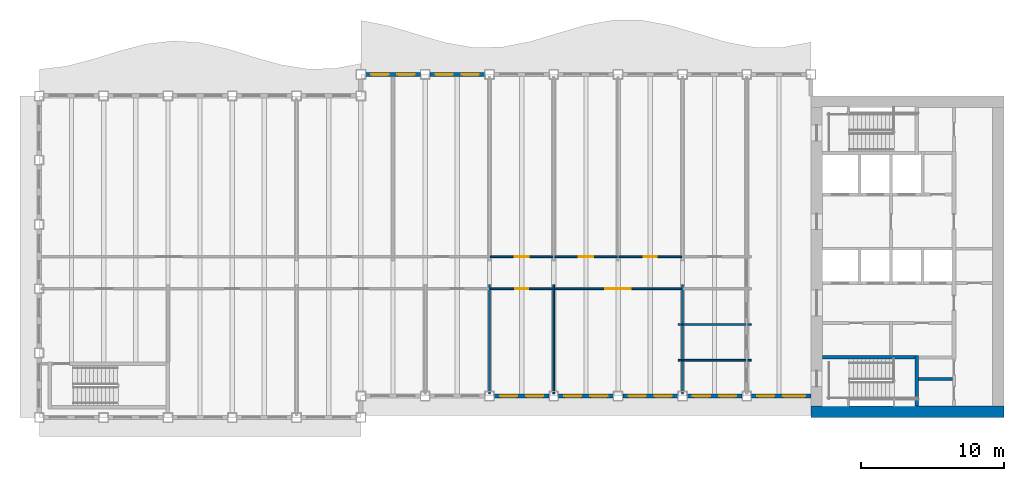
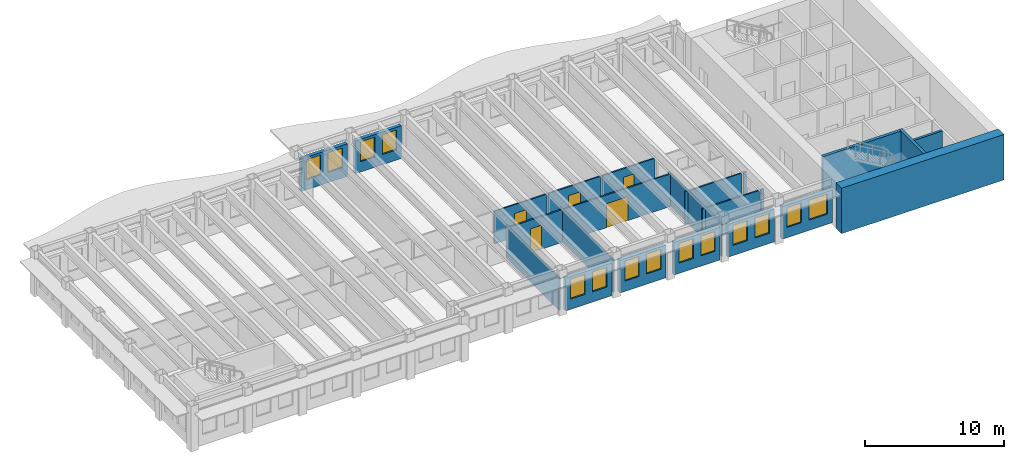
# One storey, part 4 of 12: 25 walls, 14 windows, 5 doors, 19 openings.
"""IFC4 building model written with IfcOpenShell, lengths in metres."""

from ifc_helpers import new_model, si_unit, direction, frame, frame_2d, origin, place, context, subcontext, project, spatial, rectangle, extrude, material, layer, layer_set, type_object, element, fill, save


model = new_model("IFC4")

# Units and contexts
model_context = context("Model", 3, precision=1e-05, world=origin(), true_north=direction((0.0, 1.0)))
body_context = subcontext(model_context, "Body", "Model", "MODEL_VIEW")
ifc_project = project(units=[si_unit("LENGTHUNIT", "METRE"), si_unit("AREAUNIT", "SQUARE_METRE"), si_unit("VOLUMEUNIT", "CUBIC_METRE"), si_unit("PLANEANGLEUNIT", "RADIAN"), si_unit("MASSUNIT", "GRAM", prefix="KILO")], contexts=[model_context])

# Site, building, storey
site_placement = place(None, origin())
site = spatial("IfcSite", under=ifc_project, at=site_placement, CompositionType="ELEMENT")
building_placement = place(site_placement, origin())
building = spatial("IfcBuilding", under=site, at=building_placement, Name="Sennacour Bend Tower", CompositionType="ELEMENT")
storey_placement = place(building_placement, frame((0.0, 0.0, 253.0)))
storey = spatial("IfcBuildingStorey", under=building, at=storey_placement, Name="L58", CompositionType="ELEMENT", Elevation=253.0)

# Walls
ifc_material_1 = material(Name="Concrete C50/60", Category="concrete")
ifc_layer_1 = layer(ifc_material_1, 0.800048828125, Name="Concrete C50/60", Category="concrete")
ifc_layer_set_1 = layer_set([ifc_layer_1], Name="Concrete C50/60")
wall_type_1 = type_object("IfcWallType", Name="Core wall 800 C50/60", PredefinedType="SHEAR", material=ifc_layer_set_1)
wall_1_placement = place(storey_placement, frame((67.5, 0.39990234375, -0.14990234375), z_axis=(0.0, 0.0, 1.0), x_axis=(-1.0, 0.0, 0.0)))
element("IfcWall", 1, at=wall_1_placement, inside=storey, type_object=wall_type_1, Name="Core A wall L58 S", PredefinedType="SHEAR", context=body_context, shape_type="SweptSolid", body=[
    extrude(rectangle(XDim=13.5, YDim=0.800048828125, at=frame_2d((6.75, 0.0))), origin(), (0.0, 0.0, 1.0), 4.0),
])
ifc_material_2 = material(Name="Plasterboard partition on steel studs", Category="steel")
ifc_layer_2 = layer(ifc_material_2, 0.1201171875, Name="Plasterboard partition on steel studs", Category="steel")
ifc_layer_set_2 = layer_set([ifc_layer_2], Name="Plasterboard partition on steel studs")
wall_type_2 = type_object("IfcWallType", Name="Partition 120", PredefinedType="PARTITIONING", material=ifc_layer_set_2)
for number, where, z_axis, x_axis, name in (
    (2, (31.5, 1.64990234375, 0.0), (0.0, 0.0, 1.0), (0.0, 1.0, 0.0), "P-L58-W010a"),
    (3, (36.0, 1.64990234375, 0.0), (0.0, 0.0, 1.0), (0.0, 1.0, 0.0), "P-L58-W012a"),
    (4, (45.0, 1.64990234375, 0.0), (0.0, 0.0, 1.0), (0.0, 1.0, 0.0), "P-L58-W015a"),
):
    element("IfcWall", number, at=place(storey_placement, frame(where, z_axis=z_axis, x_axis=x_axis)), inside=storey, type_object=wall_type_2, Name=name, PredefinedType="PARTITIONING", context=body_context, shape_type="SweptSolid", body=[
        extrude(rectangle(XDim=7.650146484375, YDim=0.1201171875, at=frame_2d((3.8251953125, 0.0))), origin(), (0.0, 0.0, 1.0), 2.8701171875),
    ])
wall_2_placement = place(storey_placement, frame((44.699951171875, 4.0, 0.0), z_axis=(0.0, 0.0, 1.0), x_axis=(1.0, 0.0, 0.0)))
element("IfcWall", 5, at=wall_2_placement, inside=storey, type_object=wall_type_2, Name="P-L58-W038aa", PredefinedType="PARTITIONING", context=body_context, shape_type="SweptSolid", body=[
    extrude(rectangle(XDim=0.239990234375, YDim=0.1201171875, at=frame_2d((0.1201171875, 0.0))), origin(), (0.0, 0.0, 1.0), 2.8701171875),
])
wall_3_placement = place(storey_placement, frame((45.06005859375, 4.0, 0.0), z_axis=(0.0, 0.0, 1.0), x_axis=(1.0, 0.0, 0.0)))
element("IfcWall", 6, at=wall_3_placement, inside=storey, type_object=wall_type_2, Name="P-L58-W038ab", PredefinedType="PARTITIONING", context=body_context, shape_type="SweptSolid", body=[
    extrude(rectangle(XDim=4.3798828125, YDim=0.1201171875, at=frame_2d((2.18994140625, 0.0))), origin(), (0.0, 0.0, 1.0), 2.8701171875),
])
for number, where, z_axis, x_axis, name in (
    (7, (49.56005859375, 4.0, 0.0), (0.0, 0.0, 1.0), (1.0, 0.0, 0.0), "P-L58-W038ac"),
    (8, (44.699951171875, 6.5, 0.0), (0.0, 0.0, 1.0), (1.0, 0.0, 0.0), "P-L58-W041aa"),
):
    element("IfcWall", number, at=place(storey_placement, frame(where, z_axis=z_axis, x_axis=x_axis)), inside=storey, type_object=wall_type_2, Name=name, PredefinedType="PARTITIONING", context=body_context, shape_type="SweptSolid", body=[
        extrude(rectangle(XDim=0.239990234375, YDim=0.1201171875, at=frame_2d((0.1201171875, 0.0))), origin(), (0.0, 0.0, 1.0), 2.8701171875),
    ])
wall_4_placement = place(storey_placement, frame((45.06005859375, 6.5, 0.0), z_axis=(0.0, 0.0, 1.0), x_axis=(1.0, 0.0, 0.0)))
element("IfcWall", 9, at=wall_4_placement, inside=storey, type_object=wall_type_2, Name="P-L58-W041ab", PredefinedType="PARTITIONING", context=body_context, shape_type="SweptSolid", body=[
    extrude(rectangle(XDim=4.3798828125, YDim=0.1201171875, at=frame_2d((2.18994140625, 0.0))), origin(), (0.0, 0.0, 1.0), 2.8701171875),
])
wall_5_placement = place(storey_placement, frame((49.56005859375, 6.5, 0.0), z_axis=(0.0, 0.0, 1.0), x_axis=(1.0, 0.0, 0.0)))
element("IfcWall", 10, at=wall_5_placement, inside=storey, type_object=wall_type_2, Name="P-L58-W041ac", PredefinedType="PARTITIONING", context=body_context, shape_type="SweptSolid", body=[
    extrude(rectangle(XDim=0.239990234375, YDim=0.1201171875, at=frame_2d((0.1201171875, 0.0))), origin(), (0.0, 0.0, 1.0), 2.8701171875),
])

# Wall, opening, door
wall_6_placement = place(storey_placement, frame((36.06005859375, 9.0, 0.0), z_axis=(0.0, 0.0, 1.0), x_axis=(1.0, 0.0, 0.0)))
wall_6 = element("IfcWall", 11, at=wall_6_placement, inside=storey, type_object=wall_type_2, Name="P-L58-W043af", PredefinedType="PARTITIONING", context=body_context, shape_type="SweptSolid", body=[
    extrude(rectangle(XDim=8.8798828125, YDim=0.1201171875, at=frame_2d((4.43994140625, 0.0))), origin(), (0.0, 0.0, 1.0), 2.8701171875),
])
opening_1_placement = place(wall_6_placement, frame((3.539794921875, 0.0, 0.0)))
opening_1 = element("IfcOpeningElement", 12, at=opening_1_placement, cuts=wall_6, Name="Opening OD3", PredefinedType="OPENING", context=body_context, shape_type="SweptSolid", body=[
    extrude(rectangle(XDim=1.800048828125, YDim=2.10009765625, at=frame_2d((0.89990234375, 1.050048828125))), frame((0.0, 0.070068359375, 0.0), z_axis=(0.0, -1.0, 0.0), x_axis=(1.0, 0.0, 0.0)), (0.0, 0.0, 1.0), 0.14013671875),
])
ifc_material_3 = material(Name="Timber", Category="wood")
door_type_1 = type_object("IfcDoorType", Name="DR-OFFICE-1800", OperationType="NOTDEFINED", PredefinedType="DOOR", material=ifc_material_3)
door_1_placement = place(opening_1_placement, origin())
door_1 = element("IfcDoor", 13, at=door_1_placement, inside=storey, type_object=door_type_1, Name="Door", OperationType="DOUBLE_DOOR_SINGLE_SWING", OverallHeight=2.10009765625, OverallWidth=1.800048828125, PredefinedType="DOOR", context=body_context, shape_type="SweptSolid", body=[
    extrude(rectangle(XDim=1.800048828125, YDim=2.10009765625, at=frame_2d((0.89990234375, 1.050048828125))), frame((0.0, 0.02490234375, 0.0), z_axis=(0.0, -1.0, 0.0), x_axis=(1.0, 0.0, 0.0)), (0.0, 0.0, 1.0), 0.050048828125),
])
fill(opening_1, door_1)

wall_7_placement = place(storey_placement, frame((31.56005859375, 11.25, 0.0), z_axis=(0.0, 0.0, 1.0), x_axis=(1.0, 0.0, 0.0)))
wall_7 = element("IfcWall", 14, at=wall_7_placement, inside=storey, type_object=wall_type_2, Name="P-L58-W046ad", PredefinedType="PARTITIONING", context=body_context, shape_type="SweptSolid", body=[
    extrude(rectangle(XDim=4.3798828125, YDim=0.1201171875, at=frame_2d((2.18994140625, 0.0))), origin(), (0.0, 0.0, 1.0), 2.8701171875),
])
opening_2_placement = place(wall_7_placement, frame((1.68994140625, 0.0, 0.0)))
opening_2 = element("IfcOpeningElement", 15, at=opening_2_placement, cuts=wall_7, Name="Opening OD2", PredefinedType="OPENING", context=body_context, shape_type="SweptSolid", body=[
    extrude(rectangle(XDim=1.0, YDim=2.10009765625, at=frame_2d((0.5, 1.050048828125))), frame((0.0, 0.070068359375, 0.0), z_axis=(0.0, -1.0, 0.0), x_axis=(1.0, 0.0, 0.0)), (0.0, 0.0, 1.0), 0.14013671875),
])
door_type_2 = type_object("IfcDoorType", Name="DR-OFFICE-1000", OperationType="NOTDEFINED", PredefinedType="DOOR", material=ifc_material_3)
door_2_placement = place(opening_2_placement, origin())
door_2 = element("IfcDoor", 16, at=door_2_placement, inside=storey, type_object=door_type_2, Name="Door", OperationType="SINGLE_SWING_LEFT", OverallHeight=2.10009765625, OverallWidth=1.0, PredefinedType="DOOR", context=body_context, shape_type="SweptSolid", body=[
    extrude(rectangle(XDim=1.0, YDim=2.10009765625, at=frame_2d((0.5, 1.050048828125))), frame((0.0, 0.02490234375, 0.0), z_axis=(0.0, -1.0, 0.0), x_axis=(1.0, 0.0, 0.0)), (0.0, 0.0, 1.0), 0.050048828125),
])
fill(opening_2, door_2)

wall_8_placement = place(storey_placement, frame((36.06005859375, 11.25, 0.0), z_axis=(0.0, 0.0, 1.0), x_axis=(1.0, 0.0, 0.0)))
wall_8 = element("IfcWall", 17, at=wall_8_placement, inside=storey, type_object=wall_type_2, Name="P-L58-W046ae", PredefinedType="PARTITIONING", context=body_context, shape_type="SweptSolid", body=[
    extrude(rectangle(XDim=4.3798828125, YDim=0.1201171875, at=frame_2d((2.18994140625, 0.0))), origin(), (0.0, 0.0, 1.0), 2.8701171875),
])
opening_3_placement = place(wall_8_placement, frame((1.68994140625, 0.0, 0.0)))
opening_3 = element("IfcOpeningElement", 18, at=opening_3_placement, cuts=wall_8, Name="Opening OD2", PredefinedType="OPENING", context=body_context, shape_type="SweptSolid", body=[
    extrude(rectangle(XDim=1.0, YDim=2.10009765625, at=frame_2d((0.5, 1.050048828125))), frame((0.0, 0.070068359375, 0.0), z_axis=(0.0, -1.0, 0.0), x_axis=(1.0, 0.0, 0.0)), (0.0, 0.0, 1.0), 0.14013671875),
])
door_3_placement = place(opening_3_placement, origin())
door_3 = element("IfcDoor", 19, at=door_3_placement, inside=storey, type_object=door_type_2, Name="Door", OperationType="SINGLE_SWING_LEFT", OverallHeight=2.10009765625, OverallWidth=1.0, PredefinedType="DOOR", context=body_context, shape_type="SweptSolid", body=[
    extrude(rectangle(XDim=1.0, YDim=2.10009765625, at=frame_2d((0.5, 1.050048828125))), frame((0.0, 0.02490234375, 0.0), z_axis=(0.0, -1.0, 0.0), x_axis=(1.0, 0.0, 0.0)), (0.0, 0.0, 1.0), 0.050048828125),
])
fill(opening_3, door_3)

ifc_layer_3 = layer(ifc_material_2, 0.1201171875, Name="Plasterboard partition on steel studs", Category="steel")
ifc_layer_set_3 = layer_set([ifc_layer_3], Name="Plasterboard partition on steel studs")
wall_type_3 = type_object("IfcWallType", Name="Partition 120 EI 60", PredefinedType="PARTITIONING", material=ifc_layer_set_3)
wall_9_placement = place(storey_placement, frame((31.56005859375, 9.0, 0.0), z_axis=(0.0, 0.0, 1.0), x_axis=(1.0, 0.0, 0.0)))
wall_9 = element("IfcWall", 20, at=wall_9_placement, inside=storey, type_object=wall_type_3, Name="P-L58-W043ae", PredefinedType="PARTITIONING", context=body_context, shape_type="SweptSolid", body=[
    extrude(rectangle(XDim=4.3798828125, YDim=0.1201171875, at=frame_2d((2.18994140625, 0.0))), origin(), (0.0, 0.0, 1.0), 2.8701171875),
])
opening_4_placement = place(wall_9_placement, frame((1.739990234375, 0.0, 0.0)))
opening_4 = element("IfcOpeningElement", 21, at=opening_4_placement, cuts=wall_9, Name="Opening SV", PredefinedType="OPENING", context=body_context, shape_type="SweptSolid", body=[
    extrude(rectangle(XDim=0.89990234375, YDim=2.10009765625, at=frame_2d((0.449951171875, 1.050048828125))), frame((0.0, 0.070068359375, 0.0), z_axis=(0.0, -1.0, 0.0), x_axis=(1.0, 0.0, 0.0)), (0.0, 0.0, 1.0), 0.14013671875),
])
ifc_material_4 = material(Name="Painted steel", Category="steel")
door_type_3 = type_object("IfcDoorType", Name="DR-SERVICE-900", OperationType="NOTDEFINED", PredefinedType="DOOR", material=ifc_material_4)
door_4_placement = place(opening_4_placement, origin())
door_4 = element("IfcDoor", 22, at=door_4_placement, inside=storey, type_object=door_type_3, Name="Door", OperationType="SINGLE_SWING_LEFT", OverallHeight=2.10009765625, OverallWidth=0.89990234375, PredefinedType="DOOR", context=body_context, shape_type="SweptSolid", body=[
    extrude(rectangle(XDim=0.89990234375, YDim=2.10009765625, at=frame_2d((0.449951171875, 1.050048828125))), frame((0.0, 0.02490234375, 0.0), z_axis=(0.0, -1.0, 0.0), x_axis=(1.0, 0.0, 0.0)), (0.0, 0.0, 1.0), 0.050048828125),
])
fill(opening_4, door_4)

wall_10_placement = place(storey_placement, frame((40.56005859375, 11.25, 0.0), z_axis=(0.0, 0.0, 1.0), x_axis=(1.0, 0.0, 0.0)))
wall_10 = element("IfcWall", 23, at=wall_10_placement, inside=storey, type_object=wall_type_3, Name="P-L58-W046af", PredefinedType="PARTITIONING", context=body_context, shape_type="SweptSolid", body=[
    extrude(rectangle(XDim=4.3798828125, YDim=0.1201171875, at=frame_2d((2.18994140625, 0.0))), origin(), (0.0, 0.0, 1.0), 2.8701171875),
])
opening_5_placement = place(wall_10_placement, frame((1.739990234375, 0.0, 0.0)))
opening_5 = element("IfcOpeningElement", 24, at=opening_5_placement, cuts=wall_10, Name="Opening SV", PredefinedType="OPENING", context=body_context, shape_type="SweptSolid", body=[
    extrude(rectangle(XDim=0.89990234375, YDim=2.10009765625, at=frame_2d((0.449951171875, 1.050048828125))), frame((0.0, 0.070068359375, 0.0), z_axis=(0.0, -1.0, 0.0), x_axis=(1.0, 0.0, 0.0)), (0.0, 0.0, 1.0), 0.14013671875),
])
door_5_placement = place(opening_5_placement, origin())
door_5 = element("IfcDoor", 25, at=door_5_placement, inside=storey, type_object=door_type_3, Name="Door", OperationType="SINGLE_SWING_LEFT", OverallHeight=2.10009765625, OverallWidth=0.89990234375, PredefinedType="DOOR", context=body_context, shape_type="SweptSolid", body=[
    extrude(rectangle(XDim=0.89990234375, YDim=2.10009765625, at=frame_2d((0.449951171875, 1.050048828125))), frame((0.0, 0.02490234375, 0.0), z_axis=(0.0, -1.0, 0.0), x_axis=(1.0, 0.0, 0.0)), (0.0, 0.0, 1.0), 0.050048828125),
])
fill(opening_5, door_5)

# Wall
ifc_material_5 = material(Name="Fire-rated plasterboard partition on steel studs", Category="steel")
ifc_layer_4 = layer(ifc_material_5, 0.199951171875, Name="Fire-rated plasterboard partition on steel studs", Category="steel")
ifc_layer_set_4 = layer_set([ifc_layer_4], Name="Fire-rated plasterboard partition on steel studs")
wall_type_4 = type_object("IfcWallType", Name="Rated partition 200", PredefinedType="PARTITIONING", material=ifc_layer_set_4)
wall_11_placement = place(storey_placement, frame((61.52490234375, 2.699951171875, 0.0), z_axis=(0.0, 0.0, 1.0), x_axis=(1.0, 0.0, 0.0)))
element("IfcWall", 26, at=wall_11_placement, inside=storey, type_object=wall_type_4, Name="P-L58-W035", PredefinedType="PARTITIONING", context=body_context, shape_type="SweptSolid", body=[
    extrude(rectangle(XDim=2.375, YDim=0.199951171875, at=frame_2d((1.1875, 0.0))), origin(), (0.0, 0.0, 1.0), 3.85009765625),
])

# Wall, openings, windows
ifc_material_6 = material(Name="Warm limestone cladding", Category="masonry")
ifc_layer_5 = layer(ifc_material_6, 0.050048828125, Name="Warm limestone cladding", Category="masonry")
ifc_material_7 = material(Name="Precast concrete C40/50", Category="concrete")
ifc_layer_6 = layer(ifc_material_7, 0.25, Name="Precast concrete C40/50", Category="concrete")
ifc_layer_set_5 = layer_set([ifc_layer_5, ifc_layer_6], Name="Precast concrete C40/50 with limestone cladding")
wall_type_5 = type_object("IfcWallType", Name="STONE-CLAD PRECAST SPANDREL 300", PredefinedType="STANDARD", material=ifc_layer_set_5)
wall_12_placement = place(storey_placement, frame((31.824951171875, 1.5, 0.0), z_axis=(0.0, 0.0, 1.0), x_axis=(1.0, 0.0, 0.0)))
wall_12 = element("IfcWall", 27, at=wall_12_placement, inside=storey, type_object=wall_type_5, Name="Stone spandrel and pier wall L58 01.02", PredefinedType="STANDARD", context=body_context, shape_type="SweptSolid", body=[
    extrude(rectangle(XDim=3.85009765625, YDim=0.300048828125, at=frame_2d((1.925048828125, 0.0))), origin(), (0.0, 0.0, 1.0), 2.8701171875),
])
opening_6_placement = place(wall_12_placement, frame((0.41259765625, 0.0, 0.89990234375)))
opening_6 = element("IfcOpeningElement", 28, at=opening_6_placement, cuts=wall_12, Name="Opening W16", PredefinedType="OPENING", context=body_context, shape_type="SweptSolid", body=[
    extrude(rectangle(XDim=1.199951171875, YDim=1.75, at=frame_2d((0.60009765625, 0.875))), frame((0.0, 0.16015625, 0.0), z_axis=(0.0, -1.0, 0.0), x_axis=(1.0, 0.0, 0.0)), (0.0, 0.0, 1.0), 0.320068359375),
])
opening_7_placement = place(wall_12_placement, frame((2.237548828125, 0.0, 0.89990234375)))
opening_7 = element("IfcOpeningElement", 29, at=opening_7_placement, cuts=wall_12, Name="Opening W16", PredefinedType="OPENING", context=body_context, shape_type="SweptSolid", body=[
    extrude(rectangle(XDim=1.199951171875, YDim=1.75, at=frame_2d((0.60009765625, 0.875))), frame((0.0, 0.16015625, 0.0), z_axis=(0.0, -1.0, 0.0), x_axis=(1.0, 0.0, 0.0)), (0.0, 0.0, 1.0), 0.320068359375),
])
ifc_material_8 = material(Name="Clear low-emissivity glass", Category="glass")
window_type_1 = type_object("IfcWindowType", Name="WIN-RIBBON-1200x1750", PartitioningType="SINGLE_PANEL", PredefinedType="WINDOW", material=ifc_material_8)
window_1_placement = place(opening_6_placement, origin())
window_1 = element("IfcWindow", 30, at=window_1_placement, inside=storey, type_object=window_type_1, Name="Ribbon window L58 01.02.0", OverallHeight=1.75, OverallWidth=1.199951171875, PartitioningType="SINGLE_PANEL", PredefinedType="WINDOW", context=body_context, shape_type="SweptSolid", body=[
    extrude(rectangle(XDim=1.199951171875, YDim=1.75, at=frame_2d((0.60009765625, 0.875))), frame((0.0, 0.030029296875, 0.0), z_axis=(0.0, -1.0, 0.0), x_axis=(1.0, 0.0, 0.0)), (0.0, 0.0, 1.0), 0.06005859375),
])
fill(opening_6, window_1)
window_2_placement = place(opening_7_placement, origin())
window_2 = element("IfcWindow", 31, at=window_2_placement, inside=storey, type_object=window_type_1, Name="Ribbon window L58 01.02.1", OverallHeight=1.75, OverallWidth=1.199951171875, PartitioningType="SINGLE_PANEL", PredefinedType="WINDOW", context=body_context, shape_type="SweptSolid", body=[
    extrude(rectangle(XDim=1.199951171875, YDim=1.75, at=frame_2d((0.60009765625, 0.875))), frame((0.0, 0.030029296875, 0.0), z_axis=(0.0, -1.0, 0.0), x_axis=(1.0, 0.0, 0.0)), (0.0, 0.0, 1.0), 0.06005859375),
])
fill(opening_7, window_2)

wall_13_placement = place(storey_placement, frame((36.324951171875, 1.5, 0.0), z_axis=(0.0, 0.0, 1.0), x_axis=(1.0, 0.0, 0.0)))
wall_13 = element("IfcWall", 32, at=wall_13_placement, inside=storey, type_object=wall_type_5, Name="Stone spandrel and pier wall L58 01.03", PredefinedType="STANDARD", context=body_context, shape_type="SweptSolid", body=[
    extrude(rectangle(XDim=3.85009765625, YDim=0.300048828125, at=frame_2d((1.925048828125, 0.0))), origin(), (0.0, 0.0, 1.0), 2.8701171875),
])
opening_8_placement = place(wall_13_placement, frame((0.41259765625, 0.0, 0.89990234375)))
opening_8 = element("IfcOpeningElement", 33, at=opening_8_placement, cuts=wall_13, Name="Opening W16", PredefinedType="OPENING", context=body_context, shape_type="SweptSolid", body=[
    extrude(rectangle(XDim=1.199951171875, YDim=1.75, at=frame_2d((0.60009765625, 0.875))), frame((0.0, 0.16015625, 0.0), z_axis=(0.0, -1.0, 0.0), x_axis=(1.0, 0.0, 0.0)), (0.0, 0.0, 1.0), 0.320068359375),
])
opening_9_placement = place(wall_13_placement, frame((2.237548828125, 0.0, 0.89990234375)))
opening_9 = element("IfcOpeningElement", 34, at=opening_9_placement, cuts=wall_13, Name="Opening W16", PredefinedType="OPENING", context=body_context, shape_type="SweptSolid", body=[
    extrude(rectangle(XDim=1.199951171875, YDim=1.75, at=frame_2d((0.60009765625, 0.875))), frame((0.0, 0.16015625, 0.0), z_axis=(0.0, -1.0, 0.0), x_axis=(1.0, 0.0, 0.0)), (0.0, 0.0, 1.0), 0.320068359375),
])
window_3_placement = place(opening_8_placement, origin())
window_3 = element("IfcWindow", 35, at=window_3_placement, inside=storey, type_object=window_type_1, Name="Ribbon window L58 01.03.0", OverallHeight=1.75, OverallWidth=1.199951171875, PartitioningType="SINGLE_PANEL", PredefinedType="WINDOW", context=body_context, shape_type="SweptSolid", body=[
    extrude(rectangle(XDim=1.199951171875, YDim=1.75, at=frame_2d((0.60009765625, 0.875))), frame((0.0, 0.030029296875, 0.0), z_axis=(0.0, -1.0, 0.0), x_axis=(1.0, 0.0, 0.0)), (0.0, 0.0, 1.0), 0.06005859375),
])
fill(opening_8, window_3)
window_4_placement = place(opening_9_placement, origin())
window_4 = element("IfcWindow", 36, at=window_4_placement, inside=storey, type_object=window_type_1, Name="Ribbon window L58 01.03.1", OverallHeight=1.75, OverallWidth=1.199951171875, PartitioningType="SINGLE_PANEL", PredefinedType="WINDOW", context=body_context, shape_type="SweptSolid", body=[
    extrude(rectangle(XDim=1.199951171875, YDim=1.75, at=frame_2d((0.60009765625, 0.875))), frame((0.0, 0.030029296875, 0.0), z_axis=(0.0, -1.0, 0.0), x_axis=(1.0, 0.0, 0.0)), (0.0, 0.0, 1.0), 0.06005859375),
])
fill(opening_9, window_4)

wall_14_placement = place(storey_placement, frame((40.824951171875, 1.5, 0.0), z_axis=(0.0, 0.0, 1.0), x_axis=(1.0, 0.0, 0.0)))
wall_14 = element("IfcWall", 37, at=wall_14_placement, inside=storey, type_object=wall_type_5, Name="Stone spandrel and pier wall L58 01.04", PredefinedType="STANDARD", context=body_context, shape_type="SweptSolid", body=[
    extrude(rectangle(XDim=3.85009765625, YDim=0.300048828125, at=frame_2d((1.925048828125, 0.0))), origin(), (0.0, 0.0, 1.0), 2.8701171875),
])
opening_10_placement = place(wall_14_placement, frame((0.41259765625, 0.0, 0.89990234375)))
opening_10 = element("IfcOpeningElement", 38, at=opening_10_placement, cuts=wall_14, Name="Opening W16", PredefinedType="OPENING", context=body_context, shape_type="SweptSolid", body=[
    extrude(rectangle(XDim=1.199951171875, YDim=1.75, at=frame_2d((0.60009765625, 0.875))), frame((0.0, 0.16015625, 0.0), z_axis=(0.0, -1.0, 0.0), x_axis=(1.0, 0.0, 0.0)), (0.0, 0.0, 1.0), 0.320068359375),
])
opening_11_placement = place(wall_14_placement, frame((2.237548828125, 0.0, 0.89990234375)))
opening_11 = element("IfcOpeningElement", 39, at=opening_11_placement, cuts=wall_14, Name="Opening W16", PredefinedType="OPENING", context=body_context, shape_type="SweptSolid", body=[
    extrude(rectangle(XDim=1.199951171875, YDim=1.75, at=frame_2d((0.60009765625, 0.875))), frame((0.0, 0.16015625, 0.0), z_axis=(0.0, -1.0, 0.0), x_axis=(1.0, 0.0, 0.0)), (0.0, 0.0, 1.0), 0.320068359375),
])
window_5_placement = place(opening_10_placement, origin())
window_5 = element("IfcWindow", 40, at=window_5_placement, inside=storey, type_object=window_type_1, Name="Ribbon window L58 01.04.0", OverallHeight=1.75, OverallWidth=1.199951171875, PartitioningType="SINGLE_PANEL", PredefinedType="WINDOW", context=body_context, shape_type="SweptSolid", body=[
    extrude(rectangle(XDim=1.199951171875, YDim=1.75, at=frame_2d((0.60009765625, 0.875))), frame((0.0, 0.030029296875, 0.0), z_axis=(0.0, -1.0, 0.0), x_axis=(1.0, 0.0, 0.0)), (0.0, 0.0, 1.0), 0.06005859375),
])
fill(opening_10, window_5)
window_6_placement = place(opening_11_placement, origin())
window_6 = element("IfcWindow", 41, at=window_6_placement, inside=storey, type_object=window_type_1, Name="Ribbon window L58 01.04.1", OverallHeight=1.75, OverallWidth=1.199951171875, PartitioningType="SINGLE_PANEL", PredefinedType="WINDOW", context=body_context, shape_type="SweptSolid", body=[
    extrude(rectangle(XDim=1.199951171875, YDim=1.75, at=frame_2d((0.60009765625, 0.875))), frame((0.0, 0.030029296875, 0.0), z_axis=(0.0, -1.0, 0.0), x_axis=(1.0, 0.0, 0.0)), (0.0, 0.0, 1.0), 0.06005859375),
])
fill(opening_11, window_6)

wall_15_placement = place(storey_placement, frame((45.324951171875, 1.5, 0.0), z_axis=(0.0, 0.0, 1.0), x_axis=(1.0, 0.0, 0.0)))
wall_15 = element("IfcWall", 42, at=wall_15_placement, inside=storey, type_object=wall_type_5, Name="Stone spandrel and pier wall L58 01.05", PredefinedType="STANDARD", context=body_context, shape_type="SweptSolid", body=[
    extrude(rectangle(XDim=3.85009765625, YDim=0.300048828125, at=frame_2d((1.925048828125, 0.0))), origin(), (0.0, 0.0, 1.0), 2.8701171875),
])
opening_12_placement = place(wall_15_placement, frame((0.41259765625, 0.0, 0.89990234375)))
opening_12 = element("IfcOpeningElement", 43, at=opening_12_placement, cuts=wall_15, Name="Opening W16", PredefinedType="OPENING", context=body_context, shape_type="SweptSolid", body=[
    extrude(rectangle(XDim=1.199951171875, YDim=1.75, at=frame_2d((0.60009765625, 0.875))), frame((0.0, 0.16015625, 0.0), z_axis=(0.0, -1.0, 0.0), x_axis=(1.0, 0.0, 0.0)), (0.0, 0.0, 1.0), 0.320068359375),
])
opening_13_placement = place(wall_15_placement, frame((2.237548828125, 0.0, 0.89990234375)))
opening_13 = element("IfcOpeningElement", 44, at=opening_13_placement, cuts=wall_15, Name="Opening W16", PredefinedType="OPENING", context=body_context, shape_type="SweptSolid", body=[
    extrude(rectangle(XDim=1.199951171875, YDim=1.75, at=frame_2d((0.60009765625, 0.875))), frame((0.0, 0.16015625, 0.0), z_axis=(0.0, -1.0, 0.0), x_axis=(1.0, 0.0, 0.0)), (0.0, 0.0, 1.0), 0.320068359375),
])
window_7_placement = place(opening_12_placement, origin())
window_7 = element("IfcWindow", 45, at=window_7_placement, inside=storey, type_object=window_type_1, Name="Ribbon window L58 01.05.0", OverallHeight=1.75, OverallWidth=1.199951171875, PartitioningType="SINGLE_PANEL", PredefinedType="WINDOW", context=body_context, shape_type="SweptSolid", body=[
    extrude(rectangle(XDim=1.199951171875, YDim=1.75, at=frame_2d((0.60009765625, 0.875))), frame((0.0, 0.030029296875, 0.0), z_axis=(0.0, -1.0, 0.0), x_axis=(1.0, 0.0, 0.0)), (0.0, 0.0, 1.0), 0.06005859375),
])
fill(opening_12, window_7)
window_8_placement = place(opening_13_placement, origin())
window_8 = element("IfcWindow", 46, at=window_8_placement, inside=storey, type_object=window_type_1, Name="Ribbon window L58 01.05.1", OverallHeight=1.75, OverallWidth=1.199951171875, PartitioningType="SINGLE_PANEL", PredefinedType="WINDOW", context=body_context, shape_type="SweptSolid", body=[
    extrude(rectangle(XDim=1.199951171875, YDim=1.75, at=frame_2d((0.60009765625, 0.875))), frame((0.0, 0.030029296875, 0.0), z_axis=(0.0, -1.0, 0.0), x_axis=(1.0, 0.0, 0.0)), (0.0, 0.0, 1.0), 0.06005859375),
])
fill(opening_13, window_8)

wall_16_placement = place(storey_placement, frame((49.824951171875, 1.5, 0.0), z_axis=(0.0, 0.0, 1.0), x_axis=(1.0, 0.0, 0.0)))
wall_16 = element("IfcWall", 47, at=wall_16_placement, inside=storey, type_object=wall_type_5, Name="Stone spandrel and pier wall L58 01.06", PredefinedType="STANDARD", context=body_context, shape_type="SweptSolid", body=[
    extrude(rectangle(XDim=4.175048828125, YDim=0.300048828125, at=frame_2d((2.08740234375, 0.0))), origin(), (0.0, 0.0, 1.0), 2.8701171875),
])
opening_14_placement = place(wall_16_placement, frame((0.41259765625, 0.0, 0.89990234375)))
opening_14 = element("IfcOpeningElement", 48, at=opening_14_placement, cuts=wall_16, Name="Opening W16", PredefinedType="OPENING", context=body_context, shape_type="SweptSolid", body=[
    extrude(rectangle(XDim=1.199951171875, YDim=1.75, at=frame_2d((0.60009765625, 0.875))), frame((0.0, 0.16015625, 0.0), z_axis=(0.0, -1.0, 0.0), x_axis=(1.0, 0.0, 0.0)), (0.0, 0.0, 1.0), 0.320068359375),
])
opening_15_placement = place(wall_16_placement, frame((2.22509765625, 0.0, 0.89990234375)))
opening_15 = element("IfcOpeningElement", 49, at=opening_15_placement, cuts=wall_16, Name="Opening W12", PredefinedType="OPENING", context=body_context, shape_type="SweptSolid", body=[
    extrude(rectangle(XDim=1.550048828125, YDim=1.75, at=frame_2d((0.77490234375, 0.875))), frame((0.0, 0.16015625, 0.0), z_axis=(0.0, -1.0, 0.0), x_axis=(1.0, 0.0, 0.0)), (0.0, 0.0, 1.0), 0.320068359375),
])
window_9_placement = place(opening_14_placement, origin())
window_9 = element("IfcWindow", 50, at=window_9_placement, inside=storey, type_object=window_type_1, Name="Ribbon window L58 01.06.0", OverallHeight=1.75, OverallWidth=1.199951171875, PartitioningType="SINGLE_PANEL", PredefinedType="WINDOW", context=body_context, shape_type="SweptSolid", body=[
    extrude(rectangle(XDim=1.199951171875, YDim=1.75, at=frame_2d((0.60009765625, 0.875))), frame((0.0, 0.030029296875, 0.0), z_axis=(0.0, -1.0, 0.0), x_axis=(1.0, 0.0, 0.0)), (0.0, 0.0, 1.0), 0.06005859375),
])
fill(opening_14, window_9)
window_type_2 = type_object("IfcWindowType", Name="WIN-RIBBON-1550x1750", PartitioningType="SINGLE_PANEL", PredefinedType="WINDOW", material=ifc_material_8)
window_10_placement = place(opening_15_placement, origin())
window_10 = element("IfcWindow", 51, at=window_10_placement, inside=storey, type_object=window_type_2, Name="Ribbon window L58 01.06.1", OverallHeight=1.75, OverallWidth=1.550048828125, PartitioningType="SINGLE_PANEL", PredefinedType="WINDOW", context=body_context, shape_type="SweptSolid", body=[
    extrude(rectangle(XDim=1.550048828125, YDim=1.75, at=frame_2d((0.77490234375, 0.875))), frame((0.0, 0.030029296875, 0.0), z_axis=(0.0, -1.0, 0.0), x_axis=(1.0, 0.0, 0.0)), (0.0, 0.0, 1.0), 0.06005859375),
])
fill(opening_15, window_10)

wall_17_placement = place(storey_placement, frame((31.175048828125, 24.0, 0.0), z_axis=(0.0, 0.0, 1.0), x_axis=(-1.0, 0.0, 0.0)))
wall_17 = element("IfcWall", 52, at=wall_17_placement, inside=storey, type_object=wall_type_5, Name="Stone spandrel and pier wall L58 07.05", PredefinedType="STANDARD", context=body_context, shape_type="SweptSolid", body=[
    extrude(rectangle(XDim=3.85009765625, YDim=0.300048828125, at=frame_2d((1.925048828125, 0.0))), origin(), (0.0, 0.0, 1.0), 2.8701171875),
])
opening_16_placement = place(wall_17_placement, frame((0.41259765625, 0.0, 0.89990234375)))
opening_16 = element("IfcOpeningElement", 53, at=opening_16_placement, cuts=wall_17, Name="Opening W16", PredefinedType="OPENING", context=body_context, shape_type="SweptSolid", body=[
    extrude(rectangle(XDim=1.199951171875, YDim=1.75, at=frame_2d((0.60009765625, 0.875))), frame((0.0, 0.16015625, 0.0), z_axis=(0.0, -1.0, 0.0), x_axis=(1.0, 0.0, 0.0)), (0.0, 0.0, 1.0), 0.320068359375),
])
opening_17_placement = place(wall_17_placement, frame((2.237548828125, 0.0, 0.89990234375)))
opening_17 = element("IfcOpeningElement", 54, at=opening_17_placement, cuts=wall_17, Name="Opening W16", PredefinedType="OPENING", context=body_context, shape_type="SweptSolid", body=[
    extrude(rectangle(XDim=1.199951171875, YDim=1.75, at=frame_2d((0.60009765625, 0.875))), frame((0.0, 0.16015625, 0.0), z_axis=(0.0, -1.0, 0.0), x_axis=(1.0, 0.0, 0.0)), (0.0, 0.0, 1.0), 0.320068359375),
])
window_11_placement = place(opening_16_placement, origin())
window_11 = element("IfcWindow", 55, at=window_11_placement, inside=storey, type_object=window_type_1, Name="Ribbon window L58 07.05.0", OverallHeight=1.75, OverallWidth=1.199951171875, PartitioningType="SINGLE_PANEL", PredefinedType="WINDOW", context=body_context, shape_type="SweptSolid", body=[
    extrude(rectangle(XDim=1.199951171875, YDim=1.75, at=frame_2d((0.60009765625, 0.875))), frame((0.0, 0.030029296875, 0.0), z_axis=(0.0, -1.0, 0.0), x_axis=(1.0, 0.0, 0.0)), (0.0, 0.0, 1.0), 0.06005859375),
])
fill(opening_16, window_11)
window_12_placement = place(opening_17_placement, origin())
window_12 = element("IfcWindow", 56, at=window_12_placement, inside=storey, type_object=window_type_1, Name="Ribbon window L58 07.05.1", OverallHeight=1.75, OverallWidth=1.199951171875, PartitioningType="SINGLE_PANEL", PredefinedType="WINDOW", context=body_context, shape_type="SweptSolid", body=[
    extrude(rectangle(XDim=1.199951171875, YDim=1.75, at=frame_2d((0.60009765625, 0.875))), frame((0.0, 0.030029296875, 0.0), z_axis=(0.0, -1.0, 0.0), x_axis=(1.0, 0.0, 0.0)), (0.0, 0.0, 1.0), 0.06005859375),
])
fill(opening_17, window_12)

wall_18_placement = place(storey_placement, frame((26.675048828125, 24.0, 0.0), z_axis=(0.0, 0.0, 1.0), x_axis=(-1.0, 0.0, 0.0)))
wall_18 = element("IfcWall", 57, at=wall_18_placement, inside=storey, type_object=wall_type_5, Name="Stone spandrel and pier wall L58 07.06", PredefinedType="STANDARD", context=body_context, shape_type="SweptSolid", body=[
    extrude(rectangle(XDim=3.85009765625, YDim=0.300048828125, at=frame_2d((1.925048828125, 0.0))), origin(), (0.0, 0.0, 1.0), 2.8701171875),
])
opening_18_placement = place(wall_18_placement, frame((0.41259765625, 0.0, 0.89990234375)))
opening_18 = element("IfcOpeningElement", 58, at=opening_18_placement, cuts=wall_18, Name="Opening W16", PredefinedType="OPENING", context=body_context, shape_type="SweptSolid", body=[
    extrude(rectangle(XDim=1.199951171875, YDim=1.75, at=frame_2d((0.60009765625, 0.875))), frame((0.0, 0.16015625, 0.0), z_axis=(0.0, -1.0, 0.0), x_axis=(1.0, 0.0, 0.0)), (0.0, 0.0, 1.0), 0.320068359375),
])
opening_19_placement = place(wall_18_placement, frame((2.237548828125, 0.0, 0.89990234375)))
opening_19 = element("IfcOpeningElement", 59, at=opening_19_placement, cuts=wall_18, Name="Opening W16", PredefinedType="OPENING", context=body_context, shape_type="SweptSolid", body=[
    extrude(rectangle(XDim=1.199951171875, YDim=1.75, at=frame_2d((0.60009765625, 0.875))), frame((0.0, 0.16015625, 0.0), z_axis=(0.0, -1.0, 0.0), x_axis=(1.0, 0.0, 0.0)), (0.0, 0.0, 1.0), 0.320068359375),
])
window_13_placement = place(opening_18_placement, origin())
window_13 = element("IfcWindow", 60, at=window_13_placement, inside=storey, type_object=window_type_1, Name="Ribbon window L58 07.06.0", OverallHeight=1.75, OverallWidth=1.199951171875, PartitioningType="SINGLE_PANEL", PredefinedType="WINDOW", context=body_context, shape_type="SweptSolid", body=[
    extrude(rectangle(XDim=1.199951171875, YDim=1.75, at=frame_2d((0.60009765625, 0.875))), frame((0.0, 0.030029296875, 0.0), z_axis=(0.0, -1.0, 0.0), x_axis=(1.0, 0.0, 0.0)), (0.0, 0.0, 1.0), 0.06005859375),
])
fill(opening_18, window_13)
window_14_placement = place(opening_19_placement, origin())
window_14 = element("IfcWindow", 61, at=window_14_placement, inside=storey, type_object=window_type_1, Name="Ribbon window L58 07.06.1", OverallHeight=1.75, OverallWidth=1.199951171875, PartitioningType="SINGLE_PANEL", PredefinedType="WINDOW", context=body_context, shape_type="SweptSolid", body=[
    extrude(rectangle(XDim=1.199951171875, YDim=1.75, at=frame_2d((0.60009765625, 0.875))), frame((0.0, 0.030029296875, 0.0), z_axis=(0.0, -1.0, 0.0), x_axis=(1.0, 0.0, 0.0)), (0.0, 0.0, 1.0), 0.06005859375),
])
fill(opening_19, window_14)

# Walls
ifc_material_9 = material(Name="Concrete C60/75", Category="concrete")
ifc_layer_7 = layer(ifc_material_9, 0.25, Name="Concrete C60/75", Category="concrete")
ifc_layer_set_6 = layer_set([ifc_layer_7], Name="Concrete C60/75")
wall_type_6 = type_object("IfcWallType", Name="Stair wall 250", PredefinedType="SHEAR", material=ifc_layer_set_6)
wall_19_placement = place(storey_placement, frame((61.39990234375, 0.800048828125, 0.0), z_axis=(0.0, 0.0, 1.0), x_axis=(0.0, 1.0, 0.0)))
element("IfcWall", 62, at=wall_19_placement, inside=storey, type_object=wall_type_6, Name="P-L58-W025", PredefinedType="SHEAR", context=body_context, shape_type="SweptSolid", body=[
    extrude(rectangle(XDim=3.52490234375, YDim=0.25, at=frame_2d((1.762451171875, 0.0))), origin(), (0.0, 0.0, 1.0), 3.85009765625),
])
wall_20_placement = place(storey_placement, frame((54.800048828125, 4.199951171875, 0.0), z_axis=(0.0, 0.0, 1.0), x_axis=(1.0, 0.0, 0.0)))
element("IfcWall", 63, at=wall_20_placement, inside=storey, type_object=wall_type_6, Name="P-L58-W039", PredefinedType="SHEAR", context=body_context, shape_type="SweptSolid", body=[
    extrude(rectangle(XDim=6.474853515625, YDim=0.25, at=frame_2d((3.2373046875, 0.0))), origin(), (0.0, 0.0, 1.0), 3.85009765625),
])

save(model, "model.ifc")
